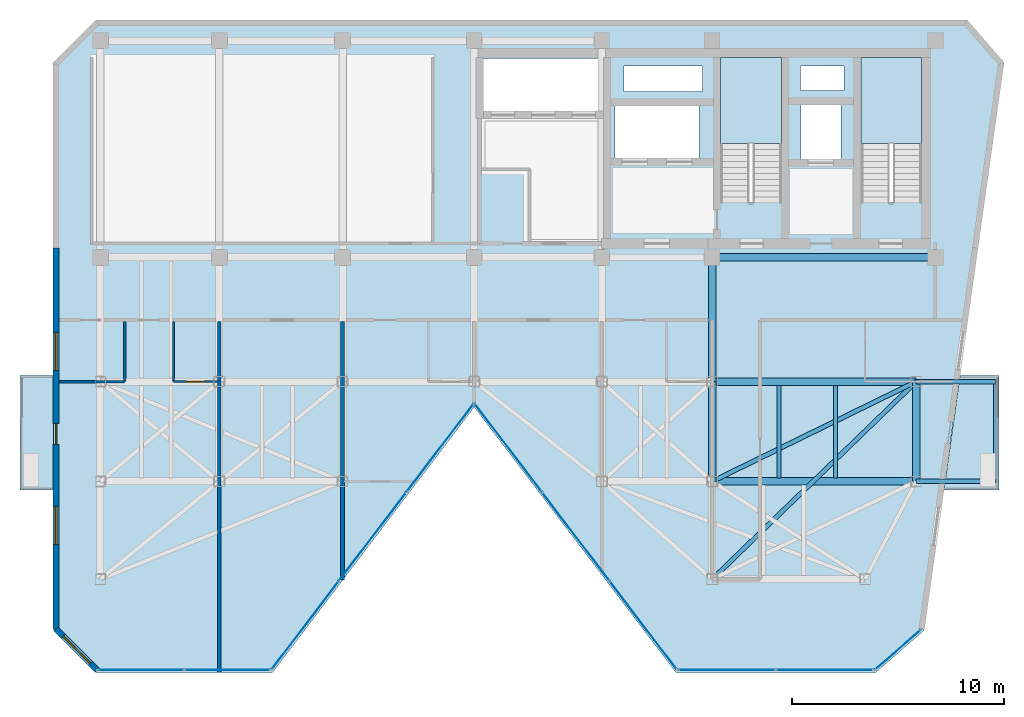
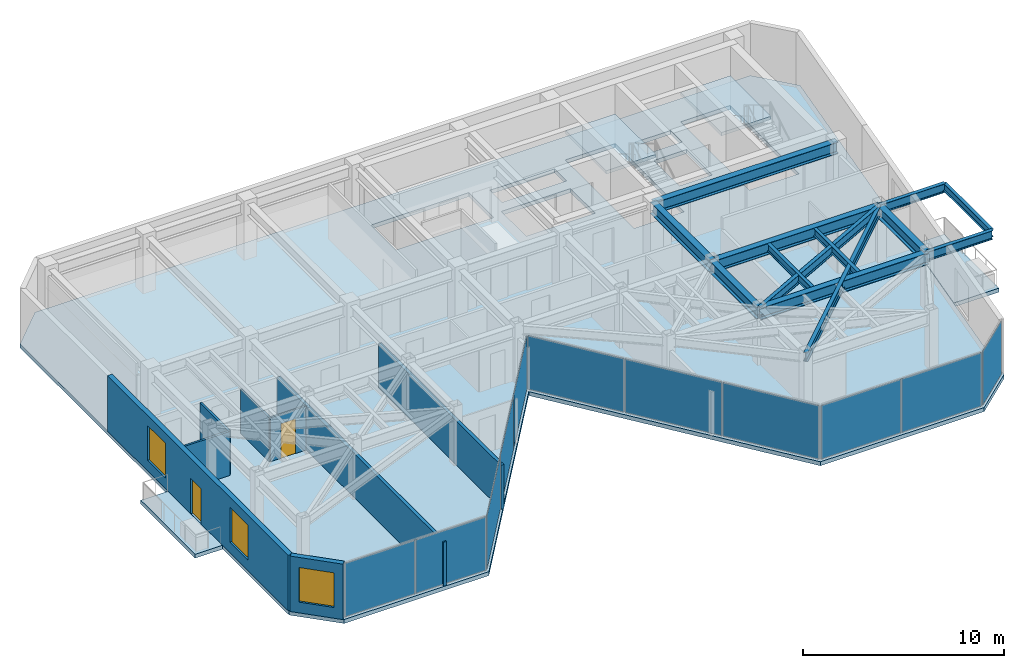
# One storey, part 12 of 17: 13 beams, 11 plates, 8 walls, 5 slabs, 3 windows, 2 doors, 5 openings, 7 elements without a shape of their own.
"""IFC4 building model written with IfcOpenShell, lengths in metres."""

import ifcopenshell
import ifcopenshell.guid

model = None  # the IFC model being written
_history = None  # IfcOwnerHistory: only IFC2X3 demands one
_inside = {}  # id of a spatial element -> (the spatial element, [elements in it])
_under = {}  # id of a project, library or spatial element -> (it, [spatial elements below it])
_declared = {}  # id of a project -> (the project, [libraries it declares])
_typed = {}  # id of a type object -> (the type object, [elements of that type])
_made_of = {}  # id of a material, layer set ... -> (it, [elements and type objects made of it])


def new_model(schema):
    """Start an empty IFC model of exactly this schema.

    Asked for "IFC4X3", IfcOpenShell would pick the latest addendum, in which some entities
    have other attributes; the version numbers below select the first issue.
    IFC2X3 requires an IfcOwnerHistory on every rooted entity: one is made here for all.
    """
    global model, _history
    if schema == "IFC4X3":
        model = ifcopenshell.file(schema_version=(4, 3, 0, 0))
    else:
        model = ifcopenshell.file(schema=schema)
    _inside.clear()
    _under.clear()
    _declared.clear()
    _typed.clear()
    _made_of.clear()
    _history = None
    if model.schema == "IFC2X3":
        org = make("IfcOrganization", Name="unknown")
        user = make(
            "IfcPersonAndOrganization",
            ThePerson=make("IfcPerson", FamilyName="unknown"),
            TheOrganization=org,
        )
        app = make(
            "IfcApplication",
            ApplicationDeveloper=org,
            Version="unknown",
            ApplicationFullName="unknown",
            ApplicationIdentifier="unknown",
        )
        _history = make(
            "IfcOwnerHistory",
            OwningUser=user,
            OwningApplication=app,
            ChangeAction="ADDED",
            CreationDate=0,
        )
    return model


def make(cls, **values):
    """One entity of the class cls with the attributes given. An attribute that is None is left unset."""
    return model.create_entity(
        cls, **{name: value for name, value in values.items() if value is not None}
    )


def rooted(cls, **values):
    """An entity with a GlobalId (a new one), such as an element, a storey or a relation."""
    return make(cls, GlobalId=ifcopenshell.guid.new(), OwnerHistory=_history, **values)


def si_unit(unit_type, name, prefix=None):
    """IfcSIUnit, for example si_unit("LENGTHUNIT", "METRE", prefix="MILLI")."""
    return make("IfcSIUnit", UnitType=unit_type, Prefix=prefix, Name=name)


def assignment(units):
    """IfcUnitAssignment: the units of a project."""
    return None if units is None else make("IfcUnitAssignment", Units=units)


def point(xyz):
    """IfcCartesianPoint."""
    return None if xyz is None else make("IfcCartesianPoint", Coordinates=xyz)


def direction(xyz):
    """IfcDirection."""
    return None if xyz is None else make("IfcDirection", DirectionRatios=xyz)


def frame(location, z_axis=None, x_axis=None):
    """IfcAxis2Placement3D, a coordinate frame: its origin and axes. An axis left out is left unset."""
    return make(
        "IfcAxis2Placement3D",
        Location=point(location),
        Axis=direction(z_axis),
        RefDirection=direction(x_axis),
    )


def frame_2d(location, x_axis=None):
    """IfcAxis2Placement2D, a coordinate frame in the plane: its origin and x axis."""
    return make(
        "IfcAxis2Placement2D", Location=point(location), RefDirection=direction(x_axis)
    )


def origin():
    """The frame at (0, 0, 0) with its axes left unset."""
    return frame((0.0, 0.0, 0.0))


def origin_2d():
    """The frame at (0, 0) in the plane with its x axis left unset."""
    return frame_2d((0.0, 0.0))


def place(relative_to, where):
    """IfcLocalPlacement: puts the frame where relative to a parent placement (None: the world)."""
    return make(
        "IfcLocalPlacement", PlacementRelTo=relative_to, RelativePlacement=where
    )


def context(
    kind, dimensions, precision=None, world=None, true_north=None, identifier=None
):
    """IfcGeometricRepresentationContext, for example the 3D "Model" context."""
    return make(
        "IfcGeometricRepresentationContext",
        ContextIdentifier=identifier,
        ContextType=kind,
        CoordinateSpaceDimension=dimensions,
        Precision=precision,
        WorldCoordinateSystem=world,
        TrueNorth=true_north,
    )


def subcontext(parent, identifier, kind, view, scale=None):
    """IfcGeometricRepresentationSubContext, for example "Body" below "Model"."""
    return make(
        "IfcGeometricRepresentationSubContext",
        ContextIdentifier=identifier,
        ContextType=kind,
        ParentContext=parent,
        TargetScale=scale,
        TargetView=view,
    )


def project(units=None, contexts=None):
    """IfcProject with its units and contexts."""
    return rooted(
        "IfcProject",
        Name="project",
        RepresentationContexts=contexts,
        UnitsInContext=assignment(units),
    )


def spatial(cls, under=None, at=None, **own):
    """A site, building, storey or space (cls), placed at a placement, below another one or the project."""
    s = rooted(cls, ObjectPlacement=at, **own)
    if under is not None:
        _under.setdefault(under.id(), (under, []))[1].append(s)
    return s


def polyline(points):
    """IfcPolyline through the points."""
    return make("IfcPolyline", Points=[point(p) for p in points])


def profile(cls, at=None, kind="AREA", **sizes):
    """A parametric profile (cls). Its sizes go by their IFC names, for example OverallWidth=200.0."""
    return make(cls, ProfileType=kind, Position=at, **sizes)


def rectangle(**sizes):
    """IfcRectangleProfileDef."""
    return profile("IfcRectangleProfileDef", **sizes)


def i_section(**sizes):
    """IfcIShapeProfileDef."""
    return profile("IfcIShapeProfileDef", **sizes)


def outline(outer, holes=None, kind="AREA"):
    """IfcArbitraryClosedProfileDef: a profile drawn as a closed curve; with holes, ...WithVoids."""
    if holes is None:
        return make("IfcArbitraryClosedProfileDef", ProfileType=kind, OuterCurve=outer)
    return make(
        "IfcArbitraryProfileDefWithVoids",
        ProfileType=kind,
        OuterCurve=outer,
        InnerCurves=holes,
    )


def extrude(swept, where, along, depth):
    """IfcExtrudedAreaSolid: the profile swept, set in the frame where, extruded along a direction by depth."""
    return make(
        "IfcExtrudedAreaSolid",
        SweptArea=swept,
        Position=where,
        ExtrudedDirection=direction(along),
        Depth=depth,
    )


def shape(context_of_items, identifier, shape_type, items):
    """IfcShapeRepresentation: the items that make up one representation, for example the "Body"."""
    return make(
        "IfcShapeRepresentation",
        ContextOfItems=context_of_items,
        RepresentationIdentifier=identifier,
        RepresentationType=shape_type,
        Items=items,
    )


def material(Name=None, Category=None):
    """IfcMaterial."""
    return make("IfcMaterial", Name=Name, Category=Category)


def layer(
    of_material, thickness, ventilated=None, Name=None, Category=None, Priority=None
):
    """IfcMaterialLayer: one layer of a wall or slab, of a material (None: an air gap)."""
    return make(
        "IfcMaterialLayer",
        Material=of_material,
        LayerThickness=thickness,
        IsVentilated=ventilated,
        Name=Name,
        Category=Category,
        Priority=Priority,
    )


def layer_set(layers, Name=None):
    """IfcMaterialLayerSet."""
    return make("IfcMaterialLayerSet", MaterialLayers=layers, LayerSetName=Name)


def material_profile(
    of_material, cross_section, Name=None, Category=None, Priority=None
):
    """IfcMaterialProfile: a cross section and its material."""
    return make(
        "IfcMaterialProfile",
        Name=Name,
        Material=of_material,
        Profile=cross_section,
        Priority=Priority,
        Category=Category,
    )


def profile_set(profiles, Name=None, composite=None):
    """IfcMaterialProfileSet."""
    return make(
        "IfcMaterialProfileSet",
        Name=Name,
        MaterialProfiles=profiles,
        CompositeProfile=composite,
    )


def made_of(thing, what):
    """Note that an element or type object is made of a material, layer set ...; save() writes the relation."""
    if what is not None:
        _made_of.setdefault(what.id(), (what, []))[1].append(thing)
    return thing


def type_object(cls, material=None, **own):
    """A type object (cls), such as IfcWallType, which elements share."""
    return made_of(rooted(cls, **own), material)


def element(
    cls,
    number,
    at=None,
    inside=None,
    cuts=None,
    type_object=None,
    material=None,
    context=None,
    identifier="Body",
    shape_type=None,
    held_by="IfcProductDefinitionShape",
    body=None,
    shapes=None,
    **own,
):
    """One element of the class cls, such as IfcWall. Its Tag is "e" and its number.

    at: its placement. inside: the storey or other place that contains it. cuts: it is an
    opening in that element (IfcRelVoidsElement). A single representation is given by context,
    identifier, shape_type and body (its items); several are given by shapes. held_by: the class
    of the entity that holds the representations. save() writes the other relations.
    """
    e = rooted(cls, Tag="e%d" % number, ObjectPlacement=at, **own)
    if body is not None:
        shapes = [shape(context, identifier, shape_type, body)]
    if shapes is not None:
        e.Representation = make(held_by, Representations=shapes)
    if inside is not None:
        _inside.setdefault(inside.id(), (inside, []))[1].append(e)
    if cuts is not None:
        rooted(
            "IfcRelVoidsElement", RelatingBuildingElement=cuts, RelatedOpeningElement=e
        )
    if type_object is not None:
        _typed.setdefault(type_object.id(), (type_object, []))[1].append(e)
    return made_of(e, material)


def fill(opening, filler):
    """IfcRelFillsElement: the door or window that sits in an opening."""
    return rooted(
        "IfcRelFillsElement",
        RelatingOpeningElement=opening,
        RelatedBuildingElement=filler,
    )


def aggregate(whole, parts):
    """IfcRelAggregates: a whole, such as a stair, and the parts it consists of."""
    return rooted("IfcRelAggregates", RelatingObject=whole, RelatedObjects=parts)


def save(model, path):
    """Write the relations noted so far, then the file.

    IfcRelAggregates (storeys below a building ...), IfcRelContainedInSpatialStructure (elements
    in a storey), IfcRelDefinesByType, IfcRelAssociatesMaterial and IfcRelDeclares: one each for
    every whole, place, type object, material and project.
    """
    for whole, parts in _under.values():
        aggregate(whole, parts)
    for where, things in _inside.values():
        rooted(
            "IfcRelContainedInSpatialStructure",
            RelatedElements=things,
            RelatingStructure=where,
        )
    for kind, things in _typed.values():
        rooted("IfcRelDefinesByType", RelatedObjects=things, RelatingType=kind)
    for what, things in _made_of.values():
        rooted("IfcRelAssociatesMaterial", RelatedObjects=things, RelatingMaterial=what)
    for by, libraries in _declared.values():
        rooted("IfcRelDeclares", RelatingContext=by, RelatedDefinitions=libraries)
    model.write(path)


model = new_model("IFC4")

# Units and contexts
model_context = context("Model", 3, precision=1e-05, world=origin(), true_north=direction((0.0, 1.0)))
body_context = subcontext(model_context, "Body", "Model", "MODEL_VIEW")
ifc_project = project(units=[si_unit("LENGTHUNIT", "METRE"), si_unit("AREAUNIT", "SQUARE_METRE"), si_unit("VOLUMEUNIT", "CUBIC_METRE"), si_unit("PLANEANGLEUNIT", "RADIAN"), si_unit("MASSUNIT", "GRAM", prefix="KILO")], contexts=[model_context])

# Site, building, storey
site_placement = place(None, origin())
site = spatial("IfcSite", under=ifc_project, at=site_placement, CompositionType="ELEMENT")
building_placement = place(site_placement, origin())
building = spatial("IfcBuilding", under=site, at=building_placement, Name="Kravanh Interchange Tower", CompositionType="ELEMENT")
storey_placement = place(building_placement, frame((0.0, 0.0, 249.0)))
storey = spatial("IfcBuildingStorey", under=building, at=storey_placement, Name="L60", CompositionType="ELEMENT", Elevation=249.0)

# Beams
ifc_material_1 = material(Name="Structural Steel S355", Category="steel")
ifc_material_profile_1 = material_profile(ifc_material_1, i_section(OverallWidth=0.35498046875, OverallDepth=0.696044921875, WebThickness=0.015380859375, FlangeThickness=0.02490234375, FilletRadius=0.02392578125, at=origin_2d()), Name="W27X146")
ifc_profile_set_1 = profile_set([ifc_material_profile_1], Name="Structural Steel S355")
beam_type_1 = type_object("IfcBeamType", Name="Floor Beam W27X146 Structural Steel S355", PredefinedType="BEAM", material=ifc_profile_set_1)
beam_1_placement = place(storey_placement, frame((56.0, 31.5, 3.011962890625), z_axis=(0.0, -1.0, 0.0), x_axis=(1.0, 0.0, 0.0)))
element("IfcBeam", 1, at=beam_1_placement, inside=storey, type_object=beam_type_1, Name="L60 Primary Floor Girder 9", PredefinedType="BEAM", context=body_context, shape_type="SweptSolid", body=[
    extrude(i_section(OverallWidth=0.35498046875, OverallDepth=0.696044921875, WebThickness=0.015380859375, FlangeThickness=0.02490234375, FilletRadius=0.02392578125, at=origin_2d()), origin(), (0.0, 0.0, 1.0), 4.699951171875),
])
beam_2_placement = place(storey_placement, frame((56.0, 31.5, 3.011962890625), z_axis=(0.0, 1.0, 0.0), x_axis=(-1.0, 0.0, 0.0)))
element("IfcBeam", 2, at=beam_2_placement, inside=storey, type_object=beam_type_1, Name="L60 Primary Floor Girder 10", PredefinedType="BEAM", context=body_context, shape_type="SweptSolid", body=[
    extrude(i_section(OverallWidth=0.35498046875, OverallDepth=0.696044921875, WebThickness=0.015380859375, FlangeThickness=0.02490234375, FilletRadius=0.02392578125, at=origin_2d()), origin(), (0.0, 0.0, 1.0), 5.85009765625),
])
beam_3_placement = place(storey_placement, frame((56.0, 31.5, 3.011962890625), z_axis=(1.0, 0.0, 0.0), x_axis=(0.0, 1.0, 0.0)))
element("IfcBeam", 3, at=beam_3_placement, inside=storey, type_object=beam_type_1, Name="L60 Primary Floor Girder 12", PredefinedType="BEAM", context=body_context, shape_type="SweptSolid", body=[
    extrude(i_section(OverallWidth=0.35498046875, OverallDepth=0.696044921875, WebThickness=0.015380859375, FlangeThickness=0.02490234375, FilletRadius=0.02392578125, at=origin_2d()), origin(), (0.0, 0.0, 1.0), 9.60009765625),
])
beam_4_placement = place(storey_placement, frame((65.60009765625, 31.5, 3.011962890625), z_axis=(0.0, -1.0, 0.0), x_axis=(1.0, 0.0, 0.0)))
element("IfcBeam", 4, at=beam_4_placement, inside=storey, type_object=beam_type_1, Name="L60 Primary Floor Girder 13", PredefinedType="BEAM", context=body_context, shape_type="SweptSolid", body=[
    extrude(i_section(OverallWidth=0.35498046875, OverallDepth=0.696044921875, WebThickness=0.015380859375, FlangeThickness=0.02490234375, FilletRadius=0.02392578125, at=origin_2d()), origin(), (0.0, 0.0, 1.0), 4.699951171875),
])
beam_5_placement = place(storey_placement, frame((56.0, 26.800048828125, 3.011962890625), z_axis=(1.0, 0.0, 0.0), x_axis=(0.0, 1.0, 0.0)))
element("IfcBeam", 5, at=beam_5_placement, inside=storey, type_object=beam_type_1, Name="L60 Primary Floor Girder 36", PredefinedType="BEAM", context=body_context, shape_type="SweptSolid", body=[
    extrude(i_section(OverallWidth=0.35498046875, OverallDepth=0.696044921875, WebThickness=0.015380859375, FlangeThickness=0.02490234375, FilletRadius=0.02392578125, at=origin_2d()), origin(), (0.0, 0.0, 1.0), 9.60009765625),
])
beam_6_placement = place(storey_placement, frame((66.5, 37.35009765625, 3.011962890625), z_axis=(-1.0, 0.0, 0.0), x_axis=(0.0, -1.0, 0.0)))
element("IfcBeam", 6, at=beam_6_placement, inside=storey, type_object=beam_type_1, Name="L60 Primary Floor Girder 47", PredefinedType="BEAM", context=body_context, shape_type="SweptSolid", body=[
    extrude(i_section(OverallWidth=0.35498046875, OverallDepth=0.696044921875, WebThickness=0.015380859375, FlangeThickness=0.02490234375, FilletRadius=0.02392578125, at=origin_2d()), origin(), (0.0, 0.0, 1.0), 10.5),
])
ifc_material_2 = material(Name="Structural Steel S355", Category="steel")
ifc_material_profile_2 = material_profile(ifc_material_2, i_section(OverallWidth=0.18994140625, OverallDepth=0.45703125, WebThickness=0.009033203125, FlangeThickness=0.014404296875, FilletRadius=0.01806640625, at=origin_2d()), Name="W18X50")
ifc_profile_set_2 = profile_set([ifc_material_profile_2], Name="Structural Steel S355")
beam_type_2 = type_object("IfcBeamType", Name="Floor Joist W18X50 Structural Steel S355", PredefinedType="JOIST", material=ifc_profile_set_2)
for number, where, z_axis, x_axis, name in (
    (7, (59.139892578125, 26.972412109375, 3.131591796875), (0.0, 1.0, 0.0), (-1.0, 0.0, 0.0), "L60 Secondary Floor Joist 9"),
    (8, (61.7958984375, 26.972412109375, 3.131591796875), (0.0, 1.0, 0.0), (-1.0, 0.0, 0.0), "L60 Secondary Floor Joist 10"),
):
    element("IfcBeam", number, at=place(storey_placement, frame(where, z_axis=z_axis, x_axis=x_axis)), inside=storey, type_object=beam_type_2, Name=name, PredefinedType="JOIST", context=body_context, shape_type="SweptSolid", body=[
        extrude(i_section(OverallWidth=0.18994140625, OverallDepth=0.45703125, WebThickness=0.009033203125, FlangeThickness=0.014404296875, FilletRadius=0.01806640625, at=origin_2d()), origin(), (0.0, 0.0, 1.0), 4.35498046875),
    ])
beam_7_placement = place(storey_placement, frame((69.330078125, 26.800048828125, 3.131591796875), z_axis=(0.0, 1.0, 0.0), x_axis=(-1.0, 0.0, 0.0)))
element("IfcBeam", 9, at=beam_7_placement, inside=storey, type_object=beam_type_2, Name="L60 Balcony Edge Tie Beam E", PredefinedType="JOIST", context=body_context, shape_type="SweptSolid", body=[
    extrude(i_section(OverallWidth=0.18994140625, OverallDepth=0.45703125, WebThickness=0.009033203125, FlangeThickness=0.014404296875, FilletRadius=0.01806640625, at=origin_2d()), origin(), (0.0, 0.0, 1.0), 4.699951171875),
])
ifc_material_3 = material(Name="Structural Steel S355", Category="steel")
ifc_material_profile_3 = material_profile(ifc_material_3, i_section(OverallWidth=0.2099609375, OverallDepth=0.537109375, WebThickness=0.010986328125, FlangeThickness=0.017333984375, FilletRadius=0.02001953125, at=origin_2d()), Name="W21X68")
ifc_profile_set_3 = profile_set([ifc_material_profile_3], Name="Structural Steel S355")
beam_type_3 = type_object("IfcBeamType", Name="Floor Spandrel W21X68 Structural Steel S355", PredefinedType="SPANDREL", material=ifc_profile_set_3)
beam_8_placement = place(storey_placement, frame((65.60009765625, 31.5, 3.091552734375), z_axis=(-0.898141688387, -0.439706160499, 0.0), x_axis=(0.439706160499, -0.898141688387, 0.0)))
element("IfcBeam", 10, at=beam_8_placement, inside=storey, type_object=beam_type_3, Name="L60 Perimeter Spandrel 15", PredefinedType="SPANDREL", context=body_context, shape_type="SweptSolid", body=[
    extrude(i_section(OverallWidth=0.2099609375, OverallDepth=0.537109375, WebThickness=0.010986328125, FlangeThickness=0.017333984375, FilletRadius=0.02001953125, at=origin_2d()), origin(), (0.0, 0.0, 1.0), 10.68896484375),
])
beam_9_placement = place(storey_placement, frame((65.60009765625, 31.5, 3.091552734375), z_axis=(-0.718241934329, -0.695793449072, 0.0), x_axis=(0.695793449072, -0.718241934329, 0.0)))
element("IfcBeam", 11, at=beam_9_placement, inside=storey, type_object=beam_type_3, Name="L60 Perimeter Spandrel 16", PredefinedType="SPANDREL", context=body_context, shape_type="SweptSolid", body=[
    extrude(i_section(OverallWidth=0.2099609375, OverallDepth=0.537109375, WebThickness=0.010986328125, FlangeThickness=0.017333984375, FilletRadius=0.02001953125, at=origin_2d()), origin(), (0.0, 0.0, 1.0), 13.3662109375),
])
for number, where, z_axis, x_axis, name in (
    (12, (65.60009765625, 26.800048828125, 3.091552734375), (1.0, 0.0, 0.0), (0.0, 1.0, 0.0), "L60 Balcony Cantilever Outrigger E1"),
    (13, (65.60009765625, 31.5, 3.091552734375), (1.0, 0.0, 0.0), (0.0, 1.0, 0.0), "L60 Balcony Cantilever Outrigger E2"),
):
    element("IfcBeam", number, at=place(storey_placement, frame(where, z_axis=z_axis, x_axis=x_axis)), inside=storey, type_object=beam_type_3, Name=name, PredefinedType="SPANDREL", context=body_context, shape_type="SweptSolid", body=[
        extrude(i_section(OverallWidth=0.2099609375, OverallDepth=0.537109375, WebThickness=0.010986328125, FlangeThickness=0.017333984375, FilletRadius=0.02001953125, at=origin_2d()), origin(), (0.0, 0.0, 1.0), 3.72998046875),
    ])

# Curtain wall, plate
ifc_material_4 = material(Name="Anodised Bronze Aluminium", Category="aluminium")
ifc_layer_1 = layer(ifc_material_4, 0.179931640625)
ifc_layer_set_1 = layer_set([ifc_layer_1], Name="Unitised Curtain Wall System CW-HTL Luxury Hotel")
curtain_wall_type = type_object("IfcCurtainWallType", Name="Unitised Curtain Wall System CW-HTL Luxury Hotel", PredefinedType="NOTDEFINED", material=ifc_layer_set_1)
curtain_wall_1_placement = place(storey_placement, origin())
curtain_wall_1 = element("IfcCurtainWall", 14, at=curtain_wall_1_placement, inside=storey, type_object=curtain_wall_type, Name="L60 Unitised Curtain Wall CW-L60-01", PredefinedType="NOTDEFINED")
ifc_material_5 = material(Name="Low-E Laminated Architectural Glass", Category="glass")
ifc_layer_2 = layer(ifc_material_5, 0.030029296875)
ifc_layer_set_2 = layer_set([ifc_layer_2], Name="Acoustic Laminated Glazing 30mm")
plate_type = type_object("IfcPlateType", Name="Acoustic Laminated Glazing 30mm", PredefinedType="CURTAIN_PANEL", material=ifc_layer_set_2)
plate_1_placement = place(storey_placement, frame((64.745849609375, 18.880859375, 0.06005859375), z_axis=(0.0, 0.0, 1.0), x_axis=(-0.754717231494, -0.656050227106, 0.0)))
plate_1 = element("IfcPlate", 15, at=plate_1_placement, type_object=plate_type, Name="CW-HTL panel 1.1", PredefinedType="CURTAIN_PANEL", context=body_context, shape_type="SweptSolid", body=[
    extrude(rectangle(XDim=2.80908203125, YDim=0.030029296875, at=origin_2d()), origin(), (0.0, 0.0, 1.0), 3.239990234375),
])
aggregate(curtain_wall_1, [plate_1])

# Curtain wall, plates
curtain_wall_2_placement = place(storey_placement, origin())
curtain_wall_2 = element("IfcCurtainWall", 16, at=curtain_wall_2_placement, inside=storey, type_object=curtain_wall_type, Name="L60 Unitised Curtain Wall CW-L60-02", PredefinedType="NOTDEFINED")
plate_2_placement = place(storey_placement, frame((61.30517578125, 17.919921875, 0.06005859375), z_axis=(0.0, 0.0, 1.0), x_axis=(-1.0, 0.0, 0.0)))
plate_2 = element("IfcPlate", 17, at=plate_2_placement, type_object=plate_type, Name="CW-HTL panel 1.1", PredefinedType="CURTAIN_PANEL", context=body_context, shape_type="SweptSolid", body=[
    extrude(rectangle(XDim=4.550537109375, YDim=0.030029296875, at=origin_2d()), origin(), (0.0, 0.0, 1.0), 3.239990234375),
])
plate_3_placement = place(storey_placement, frame((56.69482421875, 17.919921875, 0.06005859375), z_axis=(0.0, 0.0, 1.0), x_axis=(-1.0, 0.0, 0.0)))
plate_3 = element("IfcPlate", 18, at=plate_3_placement, type_object=plate_type, Name="CW-HTL panel 2.1", PredefinedType="CURTAIN_PANEL", context=body_context, shape_type="SweptSolid", body=[
    extrude(rectangle(XDim=4.550537109375, YDim=0.030029296875, at=origin_2d()), origin(), (0.0, 0.0, 1.0), 3.239990234375),
])
aggregate(curtain_wall_2, [plate_2, plate_3])

curtain_wall_3_placement = place(storey_placement, origin())
curtain_wall_3 = element("IfcCurtainWall", 19, at=curtain_wall_3_placement, inside=storey, type_object=curtain_wall_type, Name="L60 Unitised Curtain Wall CW-L60-03", PredefinedType="NOTDEFINED")
plate_4_placement = place(storey_placement, frame((52.757080078125, 20.0283203125, 0.06005859375), z_axis=(0.0, 0.0, 1.0), x_axis=(-0.605082946564, 0.79616243806, 0.0)))
plate_4 = element("IfcPlate", 20, at=plate_4_placement, type_object=plate_type, Name="CW-HTL panel 1.1", PredefinedType="CURTAIN_PANEL", context=body_context, shape_type="SweptSolid", body=[
    extrude(rectangle(XDim=5.17626953125, YDim=0.030029296875, at=origin_2d()), origin(), (0.0, 0.0, 1.0), 3.239990234375),
])
plate_5_placement = place(storey_placement, frame((49.579833984375, 24.209228515625, 0.06005859375), z_axis=(0.0, 0.0, 1.0), x_axis=(-0.605082946564, 0.79616243806, 0.0)))
plate_5 = element("IfcPlate", 21, at=plate_5_placement, type_object=plate_type, Name="CW-HTL panel 2.1", PredefinedType="CURTAIN_PANEL", context=body_context, shape_type="SweptSolid", body=[
    extrude(rectangle(XDim=5.206298828125, YDim=0.030029296875, at=origin_2d()), origin(), (0.0, 0.0, 1.0), 3.239990234375),
])
plate_6_placement = place(storey_placement, frame((46.40234375, 28.389892578125, 0.06005859375), z_axis=(0.0, 0.0, 1.0), x_axis=(-0.605082946564, 0.79616243806, 0.0)))
plate_6 = element("IfcPlate", 22, at=plate_6_placement, type_object=plate_type, Name="CW-HTL panel 3.1", PredefinedType="CURTAIN_PANEL", context=body_context, shape_type="SweptSolid", body=[
    extrude(rectangle(XDim=5.17626953125, YDim=0.030029296875, at=origin_2d()), origin(), (0.0, 0.0, 1.0), 3.239990234375),
])
aggregate(curtain_wall_3, [plate_4, plate_5, plate_6])

curtain_wall_4_placement = place(storey_placement, origin())
curtain_wall_4 = element("IfcCurtainWall", 23, at=curtain_wall_4_placement, inside=storey, type_object=curtain_wall_type, Name="L60 Unitised Curtain Wall CW-L60-04", PredefinedType="NOTDEFINED")
plate_7_placement = place(storey_placement, frame((43.19775390625, 28.389892578125, 0.06005859375), z_axis=(0.0, 0.0, 1.0), x_axis=(-0.605082946564, -0.79616243806, 0.0)))
plate_7 = element("IfcPlate", 24, at=plate_7_placement, type_object=plate_type, Name="CW-HTL panel 1.1", PredefinedType="CURTAIN_PANEL", context=body_context, shape_type="SweptSolid", body=[
    extrude(rectangle(XDim=5.17626953125, YDim=0.030029296875, at=origin_2d()), origin(), (0.0, 0.0, 1.0), 3.239990234375),
])
plate_8_placement = place(storey_placement, frame((40.020263671875, 24.209228515625, 0.06005859375), z_axis=(0.0, 0.0, 1.0), x_axis=(-0.605082946564, -0.79616243806, 0.0)))
plate_8 = element("IfcPlate", 25, at=plate_8_placement, type_object=plate_type, Name="CW-HTL panel 2.1", PredefinedType="CURTAIN_PANEL", context=body_context, shape_type="SweptSolid", body=[
    extrude(rectangle(XDim=5.206298828125, YDim=0.030029296875, at=origin_2d()), origin(), (0.0, 0.0, 1.0), 3.239990234375),
])
plate_9_placement = place(storey_placement, frame((36.8427734375, 20.0283203125, 0.06005859375), z_axis=(0.0, 0.0, 1.0), x_axis=(-0.605082946564, -0.79616243806, 0.0)))
plate_9 = element("IfcPlate", 26, at=plate_9_placement, type_object=plate_type, Name="CW-HTL panel 3.1", PredefinedType="CURTAIN_PANEL", context=body_context, shape_type="SweptSolid", body=[
    extrude(rectangle(XDim=5.17626953125, YDim=0.030029296875, at=origin_2d()), origin(), (0.0, 0.0, 1.0), 3.239990234375),
])
aggregate(curtain_wall_4, [plate_7, plate_8, plate_9])

curtain_wall_5_placement = place(storey_placement, origin())
curtain_wall_5 = element("IfcCurtainWall", 27, at=curtain_wall_5_placement, inside=storey, type_object=curtain_wall_type, Name="L60 Unitised Curtain Wall CW-L60-05", PredefinedType="NOTDEFINED")
plate_10_placement = place(storey_placement, frame((33.177734375, 17.919921875, 0.06005859375), z_axis=(0.0, 0.0, 1.0), x_axis=(-1.0, 0.0, 0.0)))
plate_10 = element("IfcPlate", 28, at=plate_10_placement, type_object=plate_type, Name="CW-HTL panel 1.1", PredefinedType="CURTAIN_PANEL", context=body_context, shape_type="SweptSolid", body=[
    extrude(rectangle(XDim=4.00537109375, YDim=0.030029296875, at=origin_2d()), origin(), (0.0, 0.0, 1.0), 3.239990234375),
])
plate_11_placement = place(storey_placement, frame((29.1123046875, 17.919921875, 0.06005859375), z_axis=(0.0, 0.0, 1.0), x_axis=(-1.0, 0.0, 0.0)))
plate_11 = element("IfcPlate", 29, at=plate_11_placement, type_object=plate_type, Name="CW-HTL panel 2.1", PredefinedType="CURTAIN_PANEL", context=body_context, shape_type="SweptSolid", body=[
    extrude(rectangle(XDim=4.00537109375, YDim=0.030029296875, at=origin_2d()), origin(), (0.0, 0.0, 1.0), 3.239990234375),
])
aggregate(curtain_wall_5, [plate_10, plate_11])

# Slab
ifc_material_6 = material(Name="Concrete C50/60", Category="concrete")
ifc_layer_3 = layer(ifc_material_6, 0.239990234375)
ifc_layer_set_3 = layer_set([ifc_layer_3], Name="Composite Floor Slab Concrete C50/60 240mm")
slab_type_1 = type_object("IfcSlabType", Name="Composite Floor Slab Concrete C50/60 240mm", PredefinedType="FLOOR", material=ifc_layer_set_3)
slab_1_placement = place(storey_placement, frame((0.0, 0.0, -0.239990234375)))
element("IfcSlab", 30, at=slab_1_placement, inside=storey, type_object=slab_type_1, Name="L60 Structural Floor Slab", PredefinedType="FLOOR", context=body_context, shape_type="SweptSolid", body=[
    extrude(outline(polyline([(25.0, 19.800048828125), (27.0, 17.800048828125), (35.300048828125, 17.800048828125), (44.800048828125, 30.300048828125), (54.300048828125, 17.800048828125), (63.685302734375, 17.800048828125), (65.963623046875, 19.780517578125), (69.7216796875, 46.51953125), (68.0, 48.5), (27.0, 48.5), (25.0, 46.5), (25.0, 19.800048828125)]), holes=[polyline([(65.85009765625, 39.925048828125), (65.85009765625, 46.75), (63.0, 46.75), (63.0, 39.925048828125), (65.85009765625, 39.925048828125)]), polyline([(59.25, 39.925048828125), (59.25, 46.75), (56.39990234375, 46.75), (56.39990234375, 39.925048828125), (59.25, 39.925048828125)]), polyline([(45.239990234375, 44.219970703125), (50.840087890625, 44.219970703125), (50.840087890625, 46.699951171875), (45.239990234375, 46.699951171875), (45.239990234375, 44.219970703125)]), polyline([(51.419921875, 42.02001953125), (55.3798828125, 42.02001953125), (55.3798828125, 44.47998046875), (51.419921875, 44.47998046875), (51.419921875, 42.02001953125)]), polyline([(60.179931640625, 41.97998046875), (62.06005859375, 41.97998046875), (62.06005859375, 44.52001953125), (60.179931640625, 44.52001953125), (60.179931640625, 41.97998046875)]), polyline([(60.14990234375, 45.199951171875), (62.199951171875, 45.199951171875), (62.199951171875, 46.35009765625), (60.14990234375, 46.35009765625), (60.14990234375, 45.199951171875)]), polyline([(51.85009765625, 45.14990234375), (55.550048828125, 45.14990234375), (55.550048828125, 46.35009765625), (51.85009765625, 46.35009765625), (51.85009765625, 45.14990234375)])]), origin(), (0.0, 0.0, 1.0), 0.239990234375),
])

# Stair, slab
ifc_material_7 = material(Name="Concrete C50/60", Category="concrete")
stair_type = type_object("IfcStairType", Name="Core Fire Exit Dogleg Stair Concrete C50/60", PredefinedType="HALF_TURN_STAIR", material=ifc_material_7)
stair_1_placement = place(storey_placement, origin())
stair_1 = element("IfcStair", 31, at=stair_1_placement, inside=storey, type_object=stair_type, Name="L60 Exit Stair ST1", PredefinedType="HALF_TURN_STAIR")
ifc_material_8 = material(Name="Concrete C50/60", Category="concrete")
ifc_layer_4 = layer(ifc_material_8, 0.199951171875)
ifc_layer_set_4 = layer_set([ifc_layer_4], Name="Concrete C50/60 Stair Half-Landing Slab 200mm")
slab_type_2 = type_object("IfcSlabType", Name="Concrete C50/60 Stair Half-Landing Slab 200mm", PredefinedType="LANDING", material=ifc_layer_set_4)
slab_2_placement = place(storey_placement, frame((0.0, 0.0, 1.60009765625)))
slab_2 = element("IfcSlab", 32, at=slab_2_placement, type_object=slab_type_2, Name="ST1 landing 1", PredefinedType="LANDING", context=body_context, shape_type="SweptSolid", body=[
    extrude(outline(polyline([(65.85009765625, 42.699951171875), (65.85009765625, 46.75), (63.0, 46.75), (63.0, 42.699951171875), (65.85009765625, 42.699951171875)])), origin(), (0.0, 0.0, 1.0), 0.199951171875),
])
aggregate(stair_1, [slab_2])

stair_2_placement = place(storey_placement, origin())
stair_2 = element("IfcStair", 33, at=stair_2_placement, inside=storey, type_object=stair_type, Name="L60 Exit Stair ST2", PredefinedType="HALF_TURN_STAIR")
slab_3_placement = place(storey_placement, frame((0.0, 0.0, 1.60009765625)))
slab_3 = element("IfcSlab", 34, at=slab_3_placement, type_object=slab_type_2, Name="ST2 landing 1", PredefinedType="LANDING", context=body_context, shape_type="SweptSolid", body=[
    extrude(outline(polyline([(59.25, 42.699951171875), (59.25, 46.75), (56.39990234375, 46.75), (56.39990234375, 42.699951171875), (59.25, 42.699951171875)])), origin(), (0.0, 0.0, 1.0), 0.199951171875),
])
aggregate(stair_2, [slab_3])

# Slabs
ifc_material_9 = material(Name="Concrete C50/60", Category="concrete")
ifc_layer_5 = layer(ifc_material_9, 0.199951171875)
ifc_layer_set_5 = layer_set([ifc_layer_5], Name="Planted Tree Balcony Slab Concrete C50/60 200mm")
slab_type_3 = type_object("IfcSlabType", Name="Planted Tree Balcony Slab Concrete C50/60 200mm", PredefinedType="USERDEFINED", material=ifc_layer_set_5)
slab_4_placement = place(storey_placement, frame((0.0, 0.0, -0.239990234375)))
element("IfcSlab", 35, at=slab_4_placement, inside=storey, type_object=slab_type_3, Name="L60 East Tree Planter Balcony Slab", ObjectType="BALCONY", PredefinedType="USERDEFINED", context=body_context, shape_type="SweptSolid", body=[
    extrude(outline(polyline([(69.489990234375, 31.7900390625), (69.489990234375, 26.389892578125), (66.90771484375, 26.389892578125), (67.666748046875, 31.7900390625), (69.489990234375, 31.7900390625)])), origin(), (0.0, 0.0, 1.0), 0.239990234375),
])
slab_5_placement = place(storey_placement, frame((0.0, 0.0, -0.239990234375)))
element("IfcSlab", 36, at=slab_5_placement, inside=storey, type_object=slab_type_3, Name="L60 West Tree Planter Balcony Slab", ObjectType="BALCONY", PredefinedType="USERDEFINED", context=body_context, shape_type="SweptSolid", body=[
    extrude(outline(polyline([(23.419921875, 26.389892578125), (23.419921875, 31.7900390625), (24.985107421875, 31.7900390625), (24.985107421875, 26.389892578125), (23.419921875, 26.389892578125)])), origin(), (0.0, 0.0, 1.0), 0.239990234375),
])

# Walls
ifc_material_10 = material(Name="Double Acoustic Gypsum Board and Mineral Wool")
ifc_layer_6 = layer(ifc_material_10, 0.1201171875)
ifc_layer_set_6 = layer_set([ifc_layer_6], Name="Acoustic Office Drywall Partition 120mm")
wall_type_1 = type_object("IfcWallType", Name="Acoustic Office Drywall Partition 120mm", PredefinedType="PARTITIONING", material=ifc_layer_set_6)
wall_1_placement = place(storey_placement, frame((28.340087890625, 31.5, 0.0), z_axis=(0.0, 0.0, 1.0), x_axis=(0.0, 1.0, 0.0)))
element("IfcWall", 37, at=wall_1_placement, inside=storey, type_object=wall_type_1, Name="L60 Interior Partition 14", PredefinedType="PARTITIONING", context=body_context, shape_type="SweptSolid", body=[
    extrude(rectangle(XDim=2.83203125, YDim=0.1201171875, at=frame_2d((1.416015625, 0.0))), origin(), (0.0, 0.0, 1.0), 2.6640625),
])
wall_2_placement = place(storey_placement, frame((25.284912109375, 31.5, 0.0), z_axis=(0.0, 0.0, 1.0), x_axis=(1.0, 0.0, 0.0)))
element("IfcWall", 38, at=wall_2_placement, inside=storey, type_object=wall_type_1, Name="L60 Interior Partition 15", PredefinedType="PARTITIONING", context=body_context, shape_type="SweptSolid", body=[
    extrude(rectangle(XDim=3.05517578125, YDim=0.1201171875, at=frame_2d((1.527587890625, 0.0))), origin(), (0.0, 0.0, 1.0), 2.6640625),
])
ifc_material_11 = material(Name="Moisture-Resistant Gypsum Board and Mineral Wool")
ifc_layer_7 = layer(ifc_material_11, 0.10009765625)
ifc_layer_set_7 = layer_set([ifc_layer_7], Name="En-Suite Moisture-Resistant Partition 100mm")
wall_type_2 = type_object("IfcWallType", Name="En-Suite Moisture-Resistant Partition 100mm", PredefinedType="PARTITIONING", material=ifc_layer_set_7)
wall_3_placement = place(storey_placement, frame((30.64990234375, 31.5, 0.0), z_axis=(0.0, 0.0, 1.0), x_axis=(0.0, 1.0, 0.0)))
element("IfcWall", 39, at=wall_3_placement, inside=storey, type_object=wall_type_2, Name="L60 Interior Partition 18", PredefinedType="PARTITIONING", context=body_context, shape_type="SweptSolid", body=[
    extrude(rectangle(XDim=2.83203125, YDim=0.10009765625, at=frame_2d((1.416015625, 0.0))), origin(), (0.0, 0.0, 1.0), 2.6640625),
])

# Wall, opening, door
wall_4_placement = place(storey_placement, frame((30.64990234375, 31.5, 0.0), z_axis=(0.0, 0.0, 1.0), x_axis=(1.0, 0.0, 0.0)))
wall_4 = element("IfcWall", 40, at=wall_4_placement, inside=storey, type_object=wall_type_2, Name="L60 Interior Partition 19", PredefinedType="PARTITIONING", context=body_context, shape_type="SweptSolid", body=[
    extrude(rectangle(XDim=2.08203125, YDim=0.10009765625, at=frame_2d((1.041015625, 0.0))), origin(), (0.0, 0.0, 1.0), 2.6640625),
])
opening_1_placement = place(wall_4_placement, frame((0.607421875, 0.0, 0.0)))
opening_1 = element("IfcOpeningElement", 41, at=opening_1_placement, cuts=wall_4, Name="Opening D-85", PredefinedType="OPENING", context=body_context, shape_type="SweptSolid", body=[
    extrude(rectangle(XDim=0.85009765625, YDim=2.10009765625, at=frame_2d((0.425048828125, 1.050048828125))), frame((0.0, 0.06005859375, 0.0), z_axis=(0.0, -1.0, 0.0), x_axis=(1.0, 0.0, 0.0)), (0.0, 0.0, 1.0), 0.1201171875),
])
ifc_material_12 = material(Name="Engineered Teak Veneer Timber", Category="wood")
door_type_1 = type_object("IfcDoorType", Name="En-Suite Timber Door 850x2100", OperationType="NOTDEFINED", PredefinedType="DOOR", material=ifc_material_12)
door_1_placement = place(opening_1_placement, origin())
door_1 = element("IfcDoor", 42, at=door_1_placement, inside=storey, type_object=door_type_1, Name="L60 En-suite Bathroom Door", OperationType="SINGLE_SWING_LEFT", OverallHeight=2.10009765625, OverallWidth=0.85009765625, PredefinedType="DOOR", context=body_context, shape_type="SweptSolid", body=[
    extrude(rectangle(XDim=0.85009765625, YDim=2.10009765625, at=frame_2d((0.425048828125, 1.050048828125))), frame((0.0, 0.02490234375, 0.0), z_axis=(0.0, -1.0, 0.0), x_axis=(1.0, 0.0, 0.0)), (0.0, 0.0, 1.0), 0.050048828125),
])
fill(opening_1, door_1)

# Wall, openings, door, windows
ifc_material_13 = material(Name="Insulated Precast Concrete C40/50 with Bronze Cladding", Category="concrete")
ifc_layer_8 = layer(ifc_material_13, 0.280029296875)
ifc_layer_set_8 = layer_set([ifc_layer_8], Name="Exterior Insulated Concrete C40/50 Bronze Spandrel Wall 280mm")
wall_type_3 = type_object("IfcWallType", Name="Exterior Insulated Concrete C40/50 Bronze Spandrel Wall 280mm", PredefinedType="STANDARD", material=ifc_layer_set_8)
wall_5_placement = place(storey_placement, frame((25.1201171875, 19.849609375, 0.0), z_axis=(0.0, 0.0, 1.0), x_axis=(0.0, 1.0, 0.0)))
wall_5 = element("IfcWall", 43, at=wall_5_placement, inside=storey, type_object=wall_type_3, Name="L60 Exterior Wall 1", PredefinedType="STANDARD", context=body_context, shape_type="SweptSolid", body=[
    extrude(rectangle(XDim=17.950439453125, YDim=0.280029296875, at=frame_2d((8.97509765625, 0.0))), origin(), (0.0, 0.0, 1.0), 3.360107421875),
])
opening_2_placement = place(wall_5_placement, frame((8.680419921875, 0.0, 0.0)))
opening_2 = element("IfcOpeningElement", 44, at=opening_2_placement, cuts=wall_5, Name="Opening ED-BAL100", PredefinedType="OPENING", context=body_context, shape_type="SweptSolid", body=[
    extrude(rectangle(XDim=1.0, YDim=2.14990234375, at=frame_2d((0.5, 1.074951171875))), frame((0.0, 0.14990234375, 0.0), z_axis=(0.0, -1.0, 0.0), x_axis=(1.0, 0.0, 0.0)), (0.0, 0.0, 1.0), 0.300048828125),
])
opening_3_placement = place(wall_5_placement, frame((3.98193359375, 0.0, 0.64990234375)))
opening_3 = element("IfcOpeningElement", 45, at=opening_3_placement, cuts=wall_5, Name="Opening WN-180X210", PredefinedType="OPENING", context=body_context, shape_type="SweptSolid", body=[
    extrude(rectangle(XDim=1.800048828125, YDim=2.10009765625, at=frame_2d((0.89990234375, 1.050048828125))), frame((0.0, 0.14990234375, 0.0), z_axis=(0.0, -1.0, 0.0), x_axis=(1.0, 0.0, 0.0)), (0.0, 0.0, 1.0), 0.300048828125),
])
opening_4_placement = place(wall_5_placement, frame((12.168212890625, 0.0, 0.64990234375)))
opening_4 = element("IfcOpeningElement", 46, at=opening_4_placement, cuts=wall_5, Name="Opening WN-180X210", PredefinedType="OPENING", context=body_context, shape_type="SweptSolid", body=[
    extrude(rectangle(XDim=1.800048828125, YDim=2.10009765625, at=frame_2d((0.89990234375, 1.050048828125))), frame((0.0, 0.14990234375, 0.0), z_axis=(0.0, -1.0, 0.0), x_axis=(1.0, 0.0, 0.0)), (0.0, 0.0, 1.0), 0.300048828125),
])
ifc_material_14 = material(Name="Thermally Broken Bronze Aluminium and Laminated Glass", Category="aluminium")
door_type_2 = type_object("IfcDoorType", Name="Balcony Glazed Door 1000x2150", OperationType="NOTDEFINED", PredefinedType="DOOR", material=ifc_material_14)
door_2_placement = place(opening_2_placement, origin())
door_2 = element("IfcDoor", 47, at=door_2_placement, inside=storey, type_object=door_type_2, Name="L60 W Tree Balcony Access Door", OperationType="SINGLE_SWING_LEFT", OverallHeight=2.14990234375, OverallWidth=1.0, PredefinedType="DOOR", context=body_context, shape_type="SweptSolid", body=[
    extrude(rectangle(XDim=1.0, YDim=2.14990234375, at=frame_2d((0.5, 1.074951171875))), frame((0.0, 0.02490234375, 0.0), z_axis=(0.0, -1.0, 0.0), x_axis=(1.0, 0.0, 0.0)), (0.0, 0.0, 1.0), 0.050048828125),
])
fill(opening_2, door_2)
ifc_material_15 = material(Name="Thermally Broken Bronze Aluminium and Low-E Glass", Category="aluminium")
window_type = type_object("IfcWindowType", Name="Tower Pier Window 1800x2100", PartitioningType="SINGLE_PANEL", PredefinedType="WINDOW", material=ifc_material_15)
window_1_placement = place(opening_3_placement, origin())
window_1 = element("IfcWindow", 48, at=window_1_placement, inside=storey, type_object=window_type, Name="L60 Facade Window 1A", OverallHeight=2.10009765625, OverallWidth=1.800048828125, PartitioningType="SINGLE_PANEL", PredefinedType="WINDOW", context=body_context, shape_type="SweptSolid", body=[
    extrude(rectangle(XDim=1.800048828125, YDim=2.10009765625, at=frame_2d((0.89990234375, 1.050048828125))), frame((0.0, 0.030029296875, 0.0), z_axis=(0.0, -1.0, 0.0), x_axis=(1.0, 0.0, 0.0)), (0.0, 0.0, 1.0), 0.06005859375),
])
fill(opening_3, window_1)
window_2_placement = place(opening_4_placement, origin())
window_2 = element("IfcWindow", 49, at=window_2_placement, inside=storey, type_object=window_type, Name="L60 Facade Window 1B", OverallHeight=2.10009765625, OverallWidth=1.800048828125, PartitioningType="SINGLE_PANEL", PredefinedType="WINDOW", context=body_context, shape_type="SweptSolid", body=[
    extrude(rectangle(XDim=1.800048828125, YDim=2.10009765625, at=frame_2d((0.89990234375, 1.050048828125))), frame((0.0, 0.030029296875, 0.0), z_axis=(0.0, -1.0, 0.0), x_axis=(1.0, 0.0, 0.0)), (0.0, 0.0, 1.0), 0.06005859375),
])
fill(opening_4, window_2)

# Wall, opening, window
wall_6_placement = place(storey_placement, frame((27.0498046875, 17.919921875, 0.0), z_axis=(0.0, 0.0, 1.0), x_axis=(-0.707106781187, 0.707106781187, 0.0)))
wall_6 = element("IfcWall", 50, at=wall_6_placement, inside=storey, type_object=wall_type_3, Name="L60 Exterior Wall 8", PredefinedType="STANDARD", context=body_context, shape_type="SweptSolid", body=[
    extrude(rectangle(XDim=2.72900390625, YDim=0.280029296875, at=frame_2d((1.364501953125, 0.0))), origin(), (0.0, 0.0, 1.0), 3.360107421875),
])
opening_5_placement = place(wall_6_placement, frame((0.455078125, 0.0, 0.64990234375)))
opening_5 = element("IfcOpeningElement", 51, at=opening_5_placement, cuts=wall_6, Name="Opening WN-180X210", PredefinedType="OPENING", context=body_context, shape_type="SweptSolid", body=[
    extrude(rectangle(XDim=1.800048828125, YDim=2.10009765625, at=frame_2d((0.89990234375, 1.050048828125))), frame((0.0, 0.14990234375, 0.0), z_axis=(0.0, -1.0, 0.0), x_axis=(1.0, 0.0, 0.0)), (0.0, 0.0, 1.0), 0.300048828125),
])
window_3_placement = place(opening_5_placement, origin())
window_3 = element("IfcWindow", 52, at=window_3_placement, inside=storey, type_object=window_type, Name="L60 Corner Window 8", OverallHeight=2.10009765625, OverallWidth=1.800048828125, PartitioningType="SINGLE_PANEL", PredefinedType="WINDOW", context=body_context, shape_type="SweptSolid", body=[
    extrude(rectangle(XDim=1.800048828125, YDim=2.10009765625, at=frame_2d((0.89990234375, 1.050048828125))), frame((0.0, 0.030029296875, 0.0), z_axis=(0.0, -1.0, 0.0), x_axis=(1.0, 0.0, 0.0)), (0.0, 0.0, 1.0), 0.06005859375),
])
fill(opening_5, window_3)

# Walls
ifc_material_16 = material(Name="Autoclaved Aerated Concrete C30/37 Blockwork", Category="masonry")
ifc_layer_9 = layer(ifc_material_16, 0.179931640625)
ifc_layer_set_9 = layer_set([ifc_layer_9], Name="Fire-Rated Lobby and Corridor Wall Concrete C30/37 180mm")
wall_type_4 = type_object("IfcWallType", Name="Fire-Rated Lobby and Corridor Wall Concrete C30/37 180mm", PredefinedType="STANDARD", material=ifc_layer_set_9)
wall_7_placement = place(storey_placement, frame((32.800048828125, 17.81494140625, 0.0), z_axis=(0.0, 0.0, 1.0), x_axis=(0.0, 1.0, 0.0)))
element("IfcWall", 53, at=wall_7_placement, inside=storey, type_object=wall_type_4, Name="L60 Interior Partition 20", PredefinedType="STANDARD", context=body_context, shape_type="SweptSolid", body=[
    extrude(rectangle(XDim=16.51708984375, YDim=0.179931640625, at=frame_2d((8.258544921875, 0.0))), origin(), (0.0, 0.0, 1.0), 2.6640625),
])
wall_8_placement = place(storey_placement, frame((38.60009765625, 22.1669921875, 0.0), z_axis=(0.0, 0.0, 1.0), x_axis=(0.0, 1.0, 0.0)))
element("IfcWall", 54, at=wall_8_placement, inside=storey, type_object=wall_type_4, Name="L60 Interior Partition 21", PredefinedType="STANDARD", context=body_context, shape_type="SweptSolid", body=[
    extrude(rectangle(XDim=12.1650390625, YDim=0.179931640625, at=frame_2d((6.08251953125, 0.0))), origin(), (0.0, 0.0, 1.0), 2.6640625),
])

save(model, "model.ifc")
